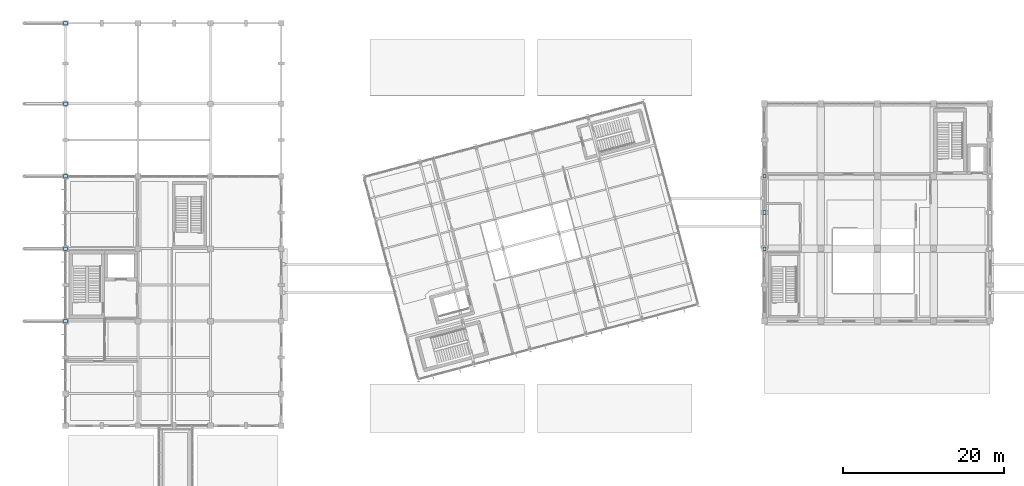
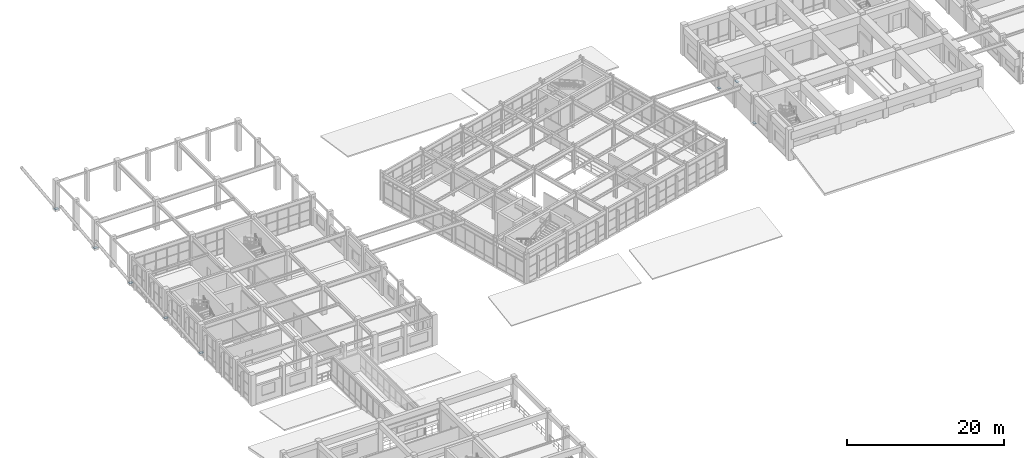
# One storey, part 79 of 104: 8 plates.
"""IFC4 building model written with IfcOpenShell, lengths in metres."""

import ifcopenshell
import ifcopenshell.guid

model = None  # the IFC model being written
_history = None  # IfcOwnerHistory: only IFC2X3 demands one
_inside = {}  # id of a spatial element -> (the spatial element, [elements in it])
_under = {}  # id of a project, library or spatial element -> (it, [spatial elements below it])
_declared = {}  # id of a project -> (the project, [libraries it declares])
_typed = {}  # id of a type object -> (the type object, [elements of that type])
_made_of = {}  # id of a material, layer set ... -> (it, [elements and type objects made of it])


def new_model(schema):
    """Start an empty IFC model of exactly this schema.

    Asked for "IFC4X3", IfcOpenShell would pick the latest addendum, in which some entities
    have other attributes; the version numbers below select the first issue.
    IFC2X3 requires an IfcOwnerHistory on every rooted entity: one is made here for all.
    """
    global model, _history
    if schema == "IFC4X3":
        model = ifcopenshell.file(schema_version=(4, 3, 0, 0))
    else:
        model = ifcopenshell.file(schema=schema)
    _inside.clear()
    _under.clear()
    _declared.clear()
    _typed.clear()
    _made_of.clear()
    _history = None
    if model.schema == "IFC2X3":
        org = make("IfcOrganization", Name="unknown")
        user = make(
            "IfcPersonAndOrganization",
            ThePerson=make("IfcPerson", FamilyName="unknown"),
            TheOrganization=org,
        )
        app = make(
            "IfcApplication",
            ApplicationDeveloper=org,
            Version="unknown",
            ApplicationFullName="unknown",
            ApplicationIdentifier="unknown",
        )
        _history = make(
            "IfcOwnerHistory",
            OwningUser=user,
            OwningApplication=app,
            ChangeAction="ADDED",
            CreationDate=0,
        )
    return model


def make(cls, **values):
    """One entity of the class cls with the attributes given. An attribute that is None is left unset."""
    return model.create_entity(
        cls, **{name: value for name, value in values.items() if value is not None}
    )


def rooted(cls, **values):
    """An entity with a GlobalId (a new one), such as an element, a storey or a relation."""
    return make(cls, GlobalId=ifcopenshell.guid.new(), OwnerHistory=_history, **values)


def si_unit(unit_type, name, prefix=None):
    """IfcSIUnit, for example si_unit("LENGTHUNIT", "METRE", prefix="MILLI")."""
    return make("IfcSIUnit", UnitType=unit_type, Prefix=prefix, Name=name)


def assignment(units):
    """IfcUnitAssignment: the units of a project."""
    return None if units is None else make("IfcUnitAssignment", Units=units)


def point(xyz):
    """IfcCartesianPoint."""
    return None if xyz is None else make("IfcCartesianPoint", Coordinates=xyz)


def direction(xyz):
    """IfcDirection."""
    return None if xyz is None else make("IfcDirection", DirectionRatios=xyz)


def frame(location, z_axis=None, x_axis=None):
    """IfcAxis2Placement3D, a coordinate frame: its origin and axes. An axis left out is left unset."""
    return make(
        "IfcAxis2Placement3D",
        Location=point(location),
        Axis=direction(z_axis),
        RefDirection=direction(x_axis),
    )


def frame_2d(location, x_axis=None):
    """IfcAxis2Placement2D, a coordinate frame in the plane: its origin and x axis."""
    return make(
        "IfcAxis2Placement2D", Location=point(location), RefDirection=direction(x_axis)
    )


def origin():
    """The frame at (0, 0, 0) with its axes left unset."""
    return frame((0.0, 0.0, 0.0))


def origin_2d():
    """The frame at (0, 0) in the plane with its x axis left unset."""
    return frame_2d((0.0, 0.0))


def place(relative_to, where):
    """IfcLocalPlacement: puts the frame where relative to a parent placement (None: the world)."""
    return make(
        "IfcLocalPlacement", PlacementRelTo=relative_to, RelativePlacement=where
    )


def context(
    kind, dimensions, precision=None, world=None, true_north=None, identifier=None
):
    """IfcGeometricRepresentationContext, for example the 3D "Model" context."""
    return make(
        "IfcGeometricRepresentationContext",
        ContextIdentifier=identifier,
        ContextType=kind,
        CoordinateSpaceDimension=dimensions,
        Precision=precision,
        WorldCoordinateSystem=world,
        TrueNorth=true_north,
    )


def subcontext(parent, identifier, kind, view, scale=None):
    """IfcGeometricRepresentationSubContext, for example "Body" below "Model"."""
    return make(
        "IfcGeometricRepresentationSubContext",
        ContextIdentifier=identifier,
        ContextType=kind,
        ParentContext=parent,
        TargetScale=scale,
        TargetView=view,
    )


def project(units=None, contexts=None):
    """IfcProject with its units and contexts."""
    return rooted(
        "IfcProject",
        Name="project",
        RepresentationContexts=contexts,
        UnitsInContext=assignment(units),
    )


def spatial(cls, under=None, at=None, **own):
    """A site, building, storey or space (cls), placed at a placement, below another one or the project."""
    s = rooted(cls, ObjectPlacement=at, **own)
    if under is not None:
        _under.setdefault(under.id(), (under, []))[1].append(s)
    return s


def profile(cls, at=None, kind="AREA", **sizes):
    """A parametric profile (cls). Its sizes go by their IFC names, for example OverallWidth=200.0."""
    return make(cls, ProfileType=kind, Position=at, **sizes)


def rectangle(**sizes):
    """IfcRectangleProfileDef."""
    return profile("IfcRectangleProfileDef", **sizes)


def extrude(swept, where, along, depth):
    """IfcExtrudedAreaSolid: the profile swept, set in the frame where, extruded along a direction by depth."""
    return make(
        "IfcExtrudedAreaSolid",
        SweptArea=swept,
        Position=where,
        ExtrudedDirection=direction(along),
        Depth=depth,
    )


def shape(context_of_items, identifier, shape_type, items):
    """IfcShapeRepresentation: the items that make up one representation, for example the "Body"."""
    return make(
        "IfcShapeRepresentation",
        ContextOfItems=context_of_items,
        RepresentationIdentifier=identifier,
        RepresentationType=shape_type,
        Items=items,
    )


def material(Name=None, Category=None):
    """IfcMaterial."""
    return make("IfcMaterial", Name=Name, Category=Category)


def layer(
    of_material, thickness, ventilated=None, Name=None, Category=None, Priority=None
):
    """IfcMaterialLayer: one layer of a wall or slab, of a material (None: an air gap)."""
    return make(
        "IfcMaterialLayer",
        Material=of_material,
        LayerThickness=thickness,
        IsVentilated=ventilated,
        Name=Name,
        Category=Category,
        Priority=Priority,
    )


def layer_set(layers, Name=None):
    """IfcMaterialLayerSet."""
    return make("IfcMaterialLayerSet", MaterialLayers=layers, LayerSetName=Name)


def made_of(thing, what):
    """Note that an element or type object is made of a material, layer set ...; save() writes the relation."""
    if what is not None:
        _made_of.setdefault(what.id(), (what, []))[1].append(thing)
    return thing


def type_object(cls, material=None, **own):
    """A type object (cls), such as IfcWallType, which elements share."""
    return made_of(rooted(cls, **own), material)


def element(
    cls,
    number,
    at=None,
    inside=None,
    cuts=None,
    type_object=None,
    material=None,
    context=None,
    identifier="Body",
    shape_type=None,
    held_by="IfcProductDefinitionShape",
    body=None,
    shapes=None,
    **own,
):
    """One element of the class cls, such as IfcWall. Its Tag is "e" and its number.

    at: its placement. inside: the storey or other place that contains it. cuts: it is an
    opening in that element (IfcRelVoidsElement). A single representation is given by context,
    identifier, shape_type and body (its items); several are given by shapes. held_by: the class
    of the entity that holds the representations. save() writes the other relations.
    """
    e = rooted(cls, Tag="e%d" % number, ObjectPlacement=at, **own)
    if body is not None:
        shapes = [shape(context, identifier, shape_type, body)]
    if shapes is not None:
        e.Representation = make(held_by, Representations=shapes)
    if inside is not None:
        _inside.setdefault(inside.id(), (inside, []))[1].append(e)
    if cuts is not None:
        rooted(
            "IfcRelVoidsElement", RelatingBuildingElement=cuts, RelatedOpeningElement=e
        )
    if type_object is not None:
        _typed.setdefault(type_object.id(), (type_object, []))[1].append(e)
    return made_of(e, material)


def aggregate(whole, parts):
    """IfcRelAggregates: a whole, such as a stair, and the parts it consists of."""
    return rooted("IfcRelAggregates", RelatingObject=whole, RelatedObjects=parts)


def save(model, path):
    """Write the relations noted so far, then the file.

    IfcRelAggregates (storeys below a building ...), IfcRelContainedInSpatialStructure (elements
    in a storey), IfcRelDefinesByType, IfcRelAssociatesMaterial and IfcRelDeclares: one each for
    every whole, place, type object, material and project.
    """
    for whole, parts in _under.values():
        aggregate(whole, parts)
    for where, things in _inside.values():
        rooted(
            "IfcRelContainedInSpatialStructure",
            RelatedElements=things,
            RelatingStructure=where,
        )
    for kind, things in _typed.values():
        rooted("IfcRelDefinesByType", RelatedObjects=things, RelatingType=kind)
    for what, things in _made_of.values():
        rooted("IfcRelAssociatesMaterial", RelatedObjects=things, RelatingMaterial=what)
    for by, libraries in _declared.values():
        rooted("IfcRelDeclares", RelatingContext=by, RelatedDefinitions=libraries)
    model.write(path)


model = new_model("IFC4")

# Units and contexts
model_context = context("Model", 3, precision=1e-05, world=origin(), true_north=direction((0.0, 1.0)))
body_context = subcontext(model_context, "Body", "Model", "MODEL_VIEW")
ifc_project = project(units=[si_unit("LENGTHUNIT", "METRE"), si_unit("AREAUNIT", "SQUARE_METRE"), si_unit("VOLUMEUNIT", "CUBIC_METRE"), si_unit("PLANEANGLEUNIT", "RADIAN"), si_unit("MASSUNIT", "GRAM", prefix="KILO")], contexts=[model_context])

# Site, building, storey
site_placement = place(None, origin())
site = spatial("IfcSite", under=ifc_project, at=site_placement, CompositionType="ELEMENT")
building_placement = place(site_placement, origin())
building = spatial("IfcBuilding", under=site, at=building_placement, Name="Ventoquebrada Cableway Terminal", CompositionType="ELEMENT")
storey_placement = place(building_placement, frame((0.0, 0.0, 4.800048828125)))
storey = spatial("IfcBuildingStorey", under=building, at=storey_placement, Name="L01", CompositionType="ELEMENT", Elevation=4.800048828125)

# Plates
ifc_material = material(Name="Steel ASTM A572 Grade 50", Category="steel")
ifc_layer = layer(ifc_material, 0.02001953125)
ifc_layer_set = layer_set([ifc_layer], Name="Steel ASTM A572 Grade 50")
plate_type = type_object("IfcPlateType", Name="GP-PL01", PredefinedType="USERDEFINED", material=ifc_layer_set)
plate_placement = place(storey_placement, frame((95.0, 90.5, 3.919921875), z_axis=(0.0, 0.0, 1.0), x_axis=(0.0, 1.0, 0.0)))
element("IfcPlate", 1, at=plate_placement, inside=storey, type_object=plate_type, Name="Chevron brace apex gusset plate GP-057", ObjectType="GUSSET PLATE", PredefinedType="USERDEFINED", context=body_context, shape_type="SweptSolid", body=[
    extrude(rectangle(XDim=0.550048828125, YDim=0.39990234375, at=origin_2d()), origin(), (0.0, 0.0, 1.0), 0.02001953125),
])
for number, where, z_axis, x_axis, name in (
    (2, (95.0, 86.0, 0.159912109375), (0.0, 0.0, 1.0), (0.0, 1.0, 0.0), "Chevron brace base gusset plate GP-058"),
    (3, (95.0, 95.0, 0.159912109375), (0.0, 0.0, 1.0), (0.0, 1.0, 0.0), "Chevron brace base gusset plate GP-059"),
):
    element("IfcPlate", number, at=place(storey_placement, frame(where, z_axis=z_axis, x_axis=x_axis)), inside=storey, type_object=plate_type, Name=name, ObjectType="GUSSET PLATE", PredefinedType="USERDEFINED", context=body_context, shape_type="SweptSolid", body=[
        extrude(rectangle(XDim=0.47998046875, YDim=0.360107421875, at=origin_2d()), origin(), (0.0, 0.0, 1.0), 0.02001953125),
    ])
for number, where, z_axis, x_axis, name in (
    (4, (8.199951171875, 77.0, 0.18994140625), (0.0, 0.0, 1.0), (1.0, 0.0, 0.0), "Raker strut connection plate GP-069"),
    (5, (8.199951171875, 86.0, 0.18994140625), (0.0, 0.0, 1.0), (1.0, 0.0, 0.0), "Raker strut connection plate GP-071"),
    (6, (8.199951171875, 95.0, 0.18994140625), (0.0, 0.0, 1.0), (1.0, 0.0, 0.0), "Raker strut connection plate GP-073"),
    (7, (8.199951171875, 104.0, 0.18994140625), (0.0, 0.0, 1.0), (1.0, 0.0, 0.0), "Raker strut connection plate GP-075"),
    (8, (8.199951171875, 114.0, 0.18994140625), (0.0, 0.0, 1.0), (1.0, 0.0, 0.0), "Raker strut connection plate GP-077"),
):
    element("IfcPlate", number, at=place(storey_placement, frame(where, z_axis=z_axis, x_axis=x_axis)), inside=storey, type_object=plate_type, Name=name, ObjectType="GUSSET PLATE", PredefinedType="USERDEFINED", context=body_context, shape_type="SweptSolid", body=[
        extrude(rectangle(XDim=0.550048828125, YDim=0.39990234375, at=origin_2d()), origin(), (0.0, 0.0, 1.0), 0.02001953125),
    ])

save(model, "model.ifc")
